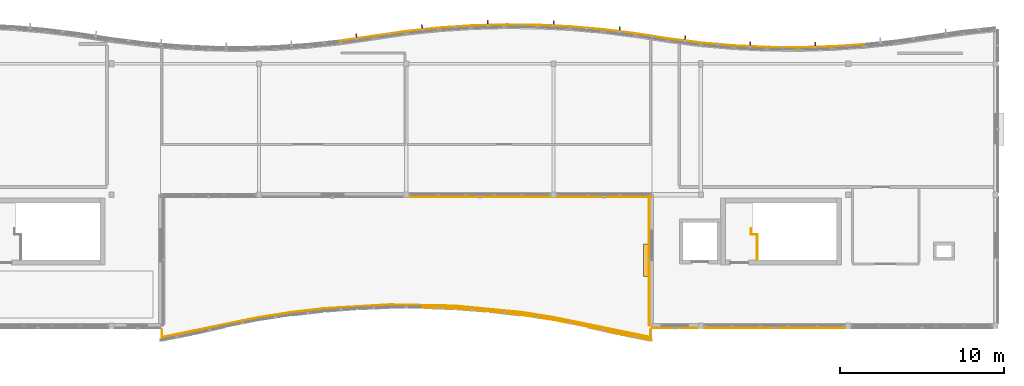
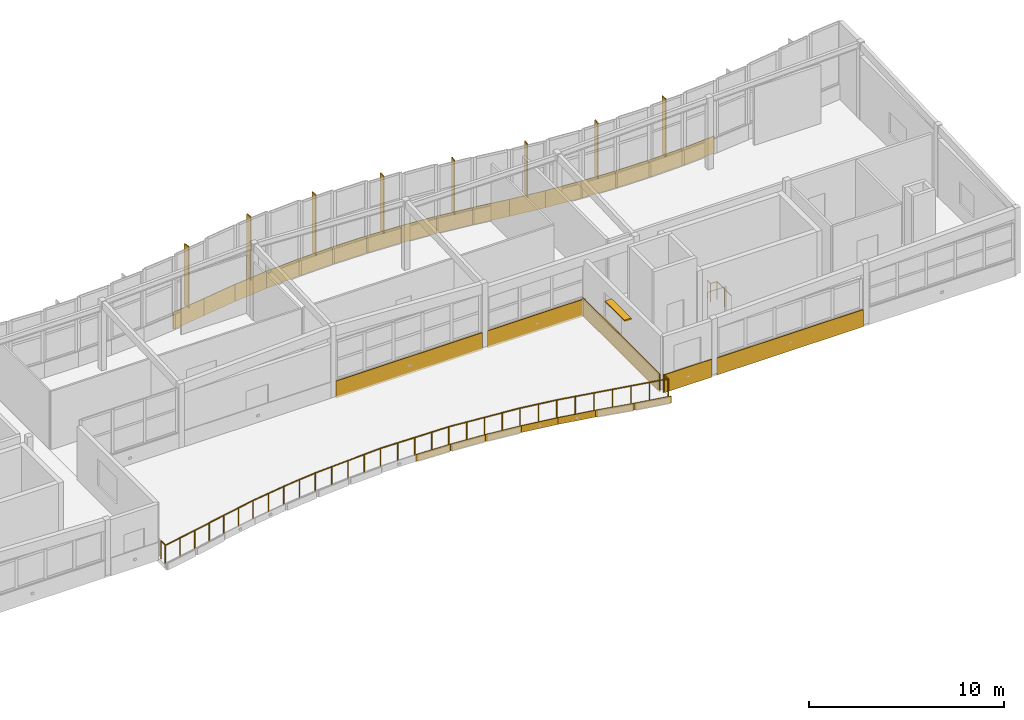
# One storey, part 19 of 20: 28 coverings, 9 shading devices, 2 railings.
"""IFC4 building model written with IfcOpenShell, lengths in metres."""

from ifc_helpers import new_model, si_unit, direction, frame, origin, origin_2d, place, context, subcontext, project, spatial, polyline, rectangle, circle, outline, extrude, material, layer, layer_set, type_object, element, save


model = new_model("IFC4")

# Units and contexts
model_context = context("Model", 3, precision=1e-05, world=origin(), true_north=direction((0.0, 1.0)))
body_context = subcontext(model_context, "Body", "Model", "MODEL_VIEW")
ifc_project = project(units=[si_unit("LENGTHUNIT", "METRE"), si_unit("AREAUNIT", "SQUARE_METRE"), si_unit("VOLUMEUNIT", "CUBIC_METRE"), si_unit("PLANEANGLEUNIT", "RADIAN"), si_unit("MASSUNIT", "GRAM", prefix="KILO")], contexts=[model_context])

# Site, building, storey
site_placement = place(None, origin())
site = spatial("IfcSite", under=ifc_project, at=site_placement, CompositionType="ELEMENT")
building_placement = place(site_placement, origin())
building = spatial("IfcBuilding", under=site, at=building_placement, Name="Tonlespit Floodbar School", CompositionType="ELEMENT")
storey_placement = place(building_placement, frame((0.0, 0.0, 20.10009765625)))
storey = spatial("IfcBuildingStorey", under=building, at=storey_placement, Name="L05", CompositionType="ELEMENT", Elevation=20.10009765625)

# Railing
ifc_material_1 = material(Name="Galvanised Steel", Category="steel")
railing_type_1 = type_object("IfcRailingType", Name="Balustrade_Ext_1150", PredefinedType="BALUSTRADE", material=ifc_material_1)
railing_1_placement = place(storey_placement, frame((94.919921875, 103.731689453125, 0.0)))
element("IfcRailing", 1, at=railing_1_placement, inside=storey, type_object=railing_type_1, Name="L05 terrace balustrade 032", PredefinedType="BALUSTRADE", context=body_context, shape_type="SweptSolid", body=[
    extrude(circle(Radius=0.02392578125, at=origin_2d()), frame((0.0, 0.0, 1.1259765625), z_axis=(0.0, -1.0, 0.0), x_axis=(1.0, 0.0, 0.0)), (0.0, 0.0, 1.0), 0.451904296875),
    extrude(circle(Radius=0.02392578125, at=origin_2d()), frame((0.0, -0.451904296875, 1.1259765625), z_axis=(-0.979394878931, 0.2019546264, 0.0), x_axis=(-0.2019546264, -0.979394878931, 0.0)), (0.0, 0.0, 1.0), 6.027587890625),
    extrude(circle(Radius=0.02392578125, at=origin_2d()), frame((-5.9033203125, 0.765380859375, 1.1259765625), z_axis=(-0.988091668652, 0.153866352204, 0.0), x_axis=(-0.153866352204, -0.988091668652, 0.0)), (0.0, 0.0, 1.0), 2.02783203125),
    extrude(circle(Radius=0.02392578125, at=origin_2d()), frame((-7.906982421875, 1.077392578125, 1.1259765625), z_axis=(-0.995351702566, 0.096306740152, 0.0), x_axis=(-0.096306740152, -0.995351702566, 0.0)), (0.0, 0.0, 1.0), 4.023193359375),
    extrude(circle(Radius=0.02392578125, at=origin_2d()), frame((-11.911376953125, 1.46484375, 1.1259765625), z_axis=(-0.999813469506, 0.019313886035, 0.0), x_axis=(-0.019313886035, -0.999813469506, 0.0)), (0.0, 0.0, 1.0), 4.007080078125),
    extrude(circle(Radius=0.02392578125, at=origin_2d()), frame((-15.917724609375, 1.542236328125, 1.1259765625), z_axis=(-0.998335296329, -0.057676998045, 0.0), x_axis=(0.057676998045, -0.998335296329, 0.0)), (0.0, 0.0, 1.0), 4.0126953125),
    extrude(circle(Radius=0.02392578125, at=origin_2d()), frame((-19.923828125, 1.310791015625, 1.1259765625), z_axis=(-0.993333496424, -0.115276037761, 0.0), x_axis=(0.115276037761, -0.993333496424, 0.0)), (0.0, 0.0, 1.0), 2.018310546875),
    extrude(circle(Radius=0.02392578125, at=origin_2d()), frame((-21.9287109375, 1.078125, 1.1259765625), z_axis=(-0.988083112984, -0.153921284543, 0.0), x_axis=(0.153921284543, -0.988083112984, 0.0)), (0.0, 0.0, 1.0), 2.027099609375),
    extrude(circle(Radius=0.02392578125, at=origin_2d()), frame((-23.931640625, 0.76611328125, 1.1259765625), z_axis=(-0.979394221427, -0.201957814989, 0.0), x_axis=(0.201957814989, -0.979394221427, 0.0)), (0.0, 0.0, 1.0), 6.0322265625),
    extrude(circle(Radius=0.02392578125, at=origin_2d()), frame((-29.839599609375, -0.4521484375, 1.1259765625), z_axis=(-0.000539956725, 0.999999854223, 0.0), x_axis=(-0.999999854223, -0.000539956725, 0.0)), (0.0, 0.0, 1.0), 0.4521484375),
    extrude(circle(Radius=0.02099609375, at=origin_2d()), origin(), (0.0, 0.0, 1.0), 1.101806640625),
    extrude(circle(Radius=0.02099609375, at=origin_2d()), frame((0.0, -0.451904296875, 0.0)), (0.0, 0.0, 1.0), 1.101806640625),
    extrude(circle(Radius=0.02099609375, at=origin_2d()), frame((-0.98388671875, -0.2490234375, 0.0)), (0.0, 0.0, 1.0), 1.101806640625),
    extrude(circle(Radius=0.02099609375, at=origin_2d()), frame((-1.9677734375, -0.046142578125, 0.0)), (0.0, 0.0, 1.0), 1.101806640625),
    extrude(circle(Radius=0.02099609375, at=origin_2d()), frame((-2.95166015625, 0.15673828125, 0.0)), (0.0, 0.0, 1.0), 1.101806640625),
    extrude(circle(Radius=0.02099609375, at=origin_2d()), frame((-3.935546875, 0.359619140625, 0.0)), (0.0, 0.0, 1.0), 1.101806640625),
    extrude(circle(Radius=0.02099609375, at=origin_2d()), frame((-4.91943359375, 0.5625, 0.0)), (0.0, 0.0, 1.0), 1.101806640625),
    extrude(circle(Radius=0.02099609375, at=origin_2d()), frame((-5.9033203125, 0.765380859375, 0.0)), (0.0, 0.0, 1.0), 1.101806640625),
    extrude(circle(Radius=0.02099609375, at=origin_2d()), frame((-6.9052734375, 0.92138671875, 0.0)), (0.0, 0.0, 1.0), 1.101806640625),
    extrude(circle(Radius=0.02099609375, at=origin_2d()), frame((-7.906982421875, 1.077392578125, 0.0)), (0.0, 0.0, 1.0), 1.101806640625),
    extrude(circle(Radius=0.02099609375, at=origin_2d()), frame((-8.908203125, 1.17431640625, 0.0)), (0.0, 0.0, 1.0), 1.101806640625),
    extrude(circle(Radius=0.02099609375, at=origin_2d()), frame((-9.9091796875, 1.27099609375, 0.0)), (0.0, 0.0, 1.0), 1.101806640625),
    extrude(circle(Radius=0.02099609375, at=origin_2d()), frame((-10.91015625, 1.367919921875, 0.0)), (0.0, 0.0, 1.0), 1.101806640625),
    extrude(circle(Radius=0.02099609375, at=origin_2d()), frame((-11.911376953125, 1.46484375, 0.0)), (0.0, 0.0, 1.0), 1.101806640625),
    extrude(circle(Radius=0.02099609375, at=origin_2d()), frame((-12.9130859375, 1.484130859375, 0.0)), (0.0, 0.0, 1.0), 1.101806640625),
    extrude(circle(Radius=0.02099609375, at=origin_2d()), frame((-13.91455078125, 1.50341796875, 0.0)), (0.0, 0.0, 1.0), 1.101806640625),
    extrude(circle(Radius=0.02099609375, at=origin_2d()), frame((-14.916015625, 1.52294921875, 0.0)), (0.0, 0.0, 1.0), 1.101806640625),
    extrude(circle(Radius=0.02099609375, at=origin_2d()), frame((-15.917724609375, 1.542236328125, 0.0)), (0.0, 0.0, 1.0), 1.101806640625),
    extrude(circle(Radius=0.02099609375, at=origin_2d()), frame((-16.919189453125, 1.484375, 0.0)), (0.0, 0.0, 1.0), 1.101806640625),
    extrude(circle(Radius=0.02099609375, at=origin_2d()), frame((-17.9208984375, 1.426513671875, 0.0)), (0.0, 0.0, 1.0), 1.101806640625),
    extrude(circle(Radius=0.02099609375, at=origin_2d()), frame((-18.92236328125, 1.36865234375, 0.0)), (0.0, 0.0, 1.0), 1.101806640625),
    extrude(circle(Radius=0.02099609375, at=origin_2d()), frame((-19.923828125, 1.310791015625, 0.0)), (0.0, 0.0, 1.0), 1.101806640625),
    extrude(circle(Radius=0.02099609375, at=origin_2d()), frame((-20.92626953125, 1.1943359375, 0.0)), (0.0, 0.0, 1.0), 1.101806640625),
    extrude(circle(Radius=0.02099609375, at=origin_2d()), frame((-21.9287109375, 1.078125, 0.0)), (0.0, 0.0, 1.0), 1.101806640625),
    extrude(circle(Radius=0.02099609375, at=origin_2d()), frame((-22.93017578125, 0.922119140625, 0.0)), (0.0, 0.0, 1.0), 1.101806640625),
    extrude(circle(Radius=0.02099609375, at=origin_2d()), frame((-23.931640625, 0.76611328125, 0.0)), (0.0, 0.0, 1.0), 1.101806640625),
    extrude(circle(Radius=0.02099609375, at=origin_2d()), frame((-24.916259765625, 0.56298828125, 0.0)), (0.0, 0.0, 1.0), 1.101806640625),
    extrude(circle(Radius=0.02099609375, at=origin_2d()), frame((-25.90087890625, 0.360107421875, 0.0)), (0.0, 0.0, 1.0), 1.101806640625),
    extrude(circle(Radius=0.02099609375, at=origin_2d()), frame((-26.8857421875, 0.156982421875, 0.0)), (0.0, 0.0, 1.0), 1.101806640625),
    extrude(circle(Radius=0.02099609375, at=origin_2d()), frame((-27.870361328125, -0.046142578125, 0.0)), (0.0, 0.0, 1.0), 1.101806640625),
    extrude(circle(Radius=0.02099609375, at=origin_2d()), frame((-28.85498046875, -0.2490234375, 0.0)), (0.0, 0.0, 1.0), 1.101806640625),
    extrude(circle(Radius=0.02099609375, at=origin_2d()), frame((-29.839599609375, -0.4521484375, 0.0)), (0.0, 0.0, 1.0), 1.101806640625),
    extrude(circle(Radius=0.02099609375, at=origin_2d()), frame((-29.83984375, 0.0, 0.0)), (0.0, 0.0, 1.0), 1.101806640625),
])

# Coverings
ifc_material_2 = material(Name="White Architectural Aluminium", Category="aluminium")
ifc_layer_1 = layer(ifc_material_2, 0.050048828125)
ifc_layer_set_1 = layer_set([ifc_layer_1], Name="White Architectural Aluminium")
covering_type = type_object("IfcCoveringType", Name="Cladding_WhiteBand_50", PredefinedType="CLADDING", material=ifc_layer_set_1)
covering_1_placement = place(storey_placement, frame((0.0, 0.0, -0.1201171875)))
element("IfcCovering", 2, at=covering_1_placement, inside=storey, type_object=covering_type, Name="L05 curved white spandrel cladding 0412", PredefinedType="CLADDING", context=body_context, shape_type="SweptSolid", body=[
    extrude(outline(polyline([(75.985595703125, 121.357421875), (77.985595703125, 121.64892578125), (77.978515625, 121.698486328125), (75.978515625, 121.406982421875), (75.985595703125, 121.357421875)])), origin(), (0.0, 0.0, 1.0), 1.070068359375),
])
covering_2_placement = place(storey_placement, frame((0.0, 0.0, -0.1201171875)))
element("IfcCovering", 3, at=covering_2_placement, inside=storey, type_object=covering_type, Name="L05 curved white spandrel cladding 0414", PredefinedType="CLADDING", context=body_context, shape_type="SweptSolid", body=[
    extrude(outline(polyline([(77.985595703125, 121.64892578125), (79.985595703125, 121.940673828125), (79.978515625, 121.989990234375), (77.978515625, 121.698486328125), (77.985595703125, 121.64892578125)])), origin(), (0.0, 0.0, 1.0), 1.070068359375),
])
covering_3_placement = place(storey_placement, frame((0.0, 0.0, -0.1201171875)))
element("IfcCovering", 4, at=covering_3_placement, inside=storey, type_object=covering_type, Name="L05 curved white spandrel cladding 0416", PredefinedType="CLADDING", context=body_context, shape_type="SweptSolid", body=[
    extrude(outline(polyline([(79.989501953125, 121.94091796875), (81.989501953125, 122.15380859375), (81.984130859375, 122.203369140625), (79.984130859375, 121.99072265625), (79.989501953125, 121.94091796875)])), origin(), (0.0, 0.0, 1.0), 1.070068359375),
])
covering_4_placement = place(storey_placement, frame((0.0, 0.0, -0.1201171875)))
element("IfcCovering", 5, at=covering_4_placement, inside=storey, type_object=covering_type, Name="L05 curved white spandrel cladding 0418", PredefinedType="CLADDING", context=body_context, shape_type="SweptSolid", body=[
    extrude(outline(polyline([(81.993408203125, 122.154052734375), (83.993408203125, 122.2890625), (83.989990234375, 122.339111328125), (81.989990234375, 122.2041015625), (81.993408203125, 122.154052734375)])), origin(), (0.0, 0.0, 1.0), 1.070068359375),
])
covering_5_placement = place(storey_placement, frame((0.0, 0.0, -0.1201171875)))
element("IfcCovering", 6, at=covering_5_placement, inside=storey, type_object=covering_type, Name="L05 curved white spandrel cladding 0420", PredefinedType="CLADDING", context=body_context, shape_type="SweptSolid", body=[
    extrude(outline(polyline([(83.9970703125, 122.289306640625), (85.9970703125, 122.346923828125), (85.99560546875, 122.39697265625), (83.99560546875, 122.33935546875), (83.9970703125, 122.289306640625)])), origin(), (0.0, 0.0, 1.0), 1.070068359375),
])
covering_6_placement = place(storey_placement, frame((0.0, 0.0, -0.1201171875)))
element("IfcCovering", 7, at=covering_6_placement, inside=storey, type_object=covering_type, Name="L05 curved white spandrel cladding 0422", PredefinedType="CLADDING", context=body_context, shape_type="SweptSolid", body=[
    extrude(outline(polyline([(86.0009765625, 122.346923828125), (88.0009765625, 122.327880859375), (88.00146484375, 122.377685546875), (86.00146484375, 122.39697265625), (86.0009765625, 122.346923828125)])), origin(), (0.0, 0.0, 1.0), 1.070068359375),
])
covering_7_placement = place(storey_placement, frame((0.0, 0.0, -0.1201171875)))
element("IfcCovering", 8, at=covering_7_placement, inside=storey, type_object=covering_type, Name="L05 curved white spandrel cladding 0424", PredefinedType="CLADDING", context=body_context, shape_type="SweptSolid", body=[
    extrude(outline(polyline([(88.0048828125, 122.32763671875), (90.0048828125, 122.2314453125), (90.007080078125, 122.28125), (88.007080078125, 122.377685546875), (88.0048828125, 122.32763671875)])), origin(), (0.0, 0.0, 1.0), 1.070068359375),
])
covering_8_placement = place(storey_placement, frame((0.0, 0.0, -0.1201171875)))
element("IfcCovering", 9, at=covering_8_placement, inside=storey, type_object=covering_type, Name="L05 curved white spandrel cladding 0426", PredefinedType="CLADDING", context=body_context, shape_type="SweptSolid", body=[
    extrude(outline(polyline([(90.0087890625, 122.231201171875), (92.0087890625, 122.057373046875), (92.012939453125, 122.107177734375), (90.012939453125, 122.281005859375), (90.0087890625, 122.231201171875)])), origin(), (0.0, 0.0, 1.0), 1.070068359375),
])
covering_9_placement = place(storey_placement, frame((0.0, 0.0, -0.1201171875)))
element("IfcCovering", 10, at=covering_9_placement, inside=storey, type_object=covering_type, Name="L05 curved white spandrel cladding 0428", PredefinedType="CLADDING", context=body_context, shape_type="SweptSolid", body=[
    extrude(outline(polyline([(92.012451171875, 122.056884765625), (94.012451171875, 121.804931640625), (94.018798828125, 121.8544921875), (92.018798828125, 122.1064453125), (92.012451171875, 122.056884765625)])), origin(), (0.0, 0.0, 1.0), 1.070068359375),
])
covering_10_placement = place(storey_placement, frame((0.0, 0.0, -0.1201171875)))
element("IfcCovering", 11, at=covering_10_placement, inside=storey, type_object=covering_type, Name="L05 curved white spandrel cladding 0430", PredefinedType="CLADDING", context=body_context, shape_type="SweptSolid", body=[
    extrude(outline(polyline([(94.015380859375, 121.804443359375), (96.015380859375, 121.4931640625), (96.023193359375, 121.54248046875), (94.023193359375, 121.85400390625), (94.015380859375, 121.804443359375)])), origin(), (0.0, 0.0, 1.0), 1.070068359375),
])
covering_11_placement = place(storey_placement, frame((0.0, 0.0, -0.1201171875)))
element("IfcCovering", 12, at=covering_11_placement, inside=storey, type_object=covering_type, Name="L05 curved white spandrel cladding 0432", PredefinedType="CLADDING", context=body_context, shape_type="SweptSolid", body=[
    extrude(outline(polyline([(96.012451171875, 121.493408203125), (98.012451171875, 121.241455078125), (98.018798828125, 121.291015625), (96.018798828125, 121.543212890625), (96.012451171875, 121.493408203125)])), origin(), (0.0, 0.0, 1.0), 1.070068359375),
])
covering_12_placement = place(storey_placement, frame((0.0, 0.0, -0.1201171875)))
element("IfcCovering", 13, at=covering_12_placement, inside=storey, type_object=covering_type, Name="L05 curved white spandrel cladding 0434", PredefinedType="CLADDING", context=body_context, shape_type="SweptSolid", body=[
    extrude(outline(polyline([(98.0087890625, 121.241943359375), (100.0087890625, 121.068115234375), (100.012939453125, 121.117919921875), (98.012939453125, 121.291748046875), (98.0087890625, 121.241943359375)])), origin(), (0.0, 0.0, 1.0), 1.070068359375),
])
covering_13_placement = place(storey_placement, frame((0.0, 0.0, -0.1201171875)))
element("IfcCovering", 14, at=covering_13_placement, inside=storey, type_object=covering_type, Name="L05 curved white spandrel cladding 0436", PredefinedType="CLADDING", context=body_context, shape_type="SweptSolid", body=[
    extrude(outline(polyline([(100.0048828125, 121.068359375), (102.0048828125, 120.97216796875), (102.007080078125, 121.02197265625), (100.007080078125, 121.118408203125), (100.0048828125, 121.068359375)])), origin(), (0.0, 0.0, 1.0), 1.070068359375),
])
covering_14_placement = place(storey_placement, frame((0.0, 0.0, -0.1201171875)))
element("IfcCovering", 15, at=covering_14_placement, inside=storey, type_object=covering_type, Name="L05 curved white spandrel cladding 0438", PredefinedType="CLADDING", context=body_context, shape_type="SweptSolid", body=[
    extrude(outline(polyline([(102.0009765625, 120.97216796875), (104.0009765625, 120.952880859375), (104.00146484375, 121.0029296875), (102.00146484375, 121.022216796875), (102.0009765625, 120.97216796875)])), origin(), (0.0, 0.0, 1.0), 1.070068359375),
])
covering_15_placement = place(storey_placement, frame((0.0, 0.0, -0.1201171875)))
element("IfcCovering", 16, at=covering_15_placement, inside=storey, type_object=covering_type, Name="L05 curved white spandrel cladding 0440", PredefinedType="CLADDING", context=body_context, shape_type="SweptSolid", body=[
    extrude(outline(polyline([(103.9970703125, 120.952880859375), (105.9970703125, 121.0107421875), (105.99560546875, 121.060791015625), (103.99560546875, 121.0029296875), (103.9970703125, 120.952880859375)])), origin(), (0.0, 0.0, 1.0), 1.070068359375),
])
covering_16_placement = place(storey_placement, frame((0.0, 0.0, -0.1201171875)))
element("IfcCovering", 17, at=covering_16_placement, inside=storey, type_object=covering_type, Name="L05 curved white spandrel cladding 0442", PredefinedType="CLADDING", context=body_context, shape_type="SweptSolid", body=[
    extrude(outline(polyline([(105.993408203125, 121.010498046875), (107.993408203125, 121.1455078125), (107.989990234375, 121.1953125), (105.989990234375, 121.060302734375), (105.993408203125, 121.010498046875)])), origin(), (0.0, 0.0, 1.0), 1.070068359375),
])
covering_17_placement = place(storey_placement, frame((0.0, 0.0, -0.1201171875)))
element("IfcCovering", 18, at=covering_17_placement, inside=storey, type_object=covering_type, Name="L05 curved white spandrel cladding 0453", PredefinedType="CLADDING", context=body_context, shape_type="SweptSolid", body=[
    extrude(outline(polyline([(106.840087890625, 103.89990234375), (98.159912109375, 103.89990234375), (98.159912109375, 103.85009765625), (106.840087890625, 103.85009765625), (106.840087890625, 103.89990234375)])), origin(), (0.0, 0.0, 1.0), 1.070068359375),
])
covering_18_placement = place(storey_placement, frame((0.0, 0.0, -0.1201171875)))
element("IfcCovering", 19, at=covering_18_placement, inside=storey, type_object=covering_type, Name="L05 curved white spandrel cladding 0454", PredefinedType="CLADDING", context=body_context, shape_type="SweptSolid", body=[
    extrude(outline(polyline([(97.840087890625, 103.8798828125), (95.0, 103.8798828125), (95.0, 103.830078125), (97.840087890625, 103.830078125), (97.840087890625, 103.8798828125)])), origin(), (0.0, 0.0, 1.0), 1.1201171875),
])
covering_19_placement = place(storey_placement, frame((0.0, 0.0, -0.1201171875)))
element("IfcCovering", 20, at=covering_19_placement, inside=storey, type_object=covering_type, Name="L05 curved white spandrel cladding 0455", PredefinedType="CLADDING", context=body_context, shape_type="SweptSolid", body=[
    extrude(outline(polyline([(94.8798828125, 104.0), (94.8798828125, 112.0), (94.830078125, 112.0), (94.830078125, 104.0), (94.8798828125, 104.0)])), origin(), (0.0, 0.0, 1.0), 1.1201171875),
])
covering_20_placement = place(storey_placement, frame((0.0, 0.0, -0.1201171875)))
element("IfcCovering", 21, at=covering_20_placement, inside=storey, type_object=covering_type, Name="L05 curved white spandrel cladding 0456", PredefinedType="CLADDING", context=body_context, shape_type="SweptSolid", body=[
    extrude(outline(polyline([(95.0, 111.89990234375), (89.159912109375, 111.89990234375), (89.159912109375, 111.85009765625), (95.0, 111.85009765625), (95.0, 111.89990234375)])), origin(), (0.0, 0.0, 1.0), 1.070068359375),
])
covering_21_placement = place(storey_placement, frame((0.0, 0.0, -0.1201171875)))
element("IfcCovering", 22, at=covering_21_placement, inside=storey, type_object=covering_type, Name="L05 curved white spandrel cladding 0457", PredefinedType="CLADDING", context=body_context, shape_type="SweptSolid", body=[
    extrude(outline(polyline([(88.840087890625, 111.89990234375), (80.159912109375, 111.89990234375), (80.159912109375, 111.85009765625), (88.840087890625, 111.85009765625), (88.840087890625, 111.89990234375)])), origin(), (0.0, 0.0, 1.0), 1.070068359375),
])
covering_22_placement = place(storey_placement, frame((0.0, 0.0, -0.300048828125)))
element("IfcCovering", 23, at=covering_22_placement, inside=storey, type_object=covering_type, Name="L05 curved white spandrel cladding 0478", PredefinedType="CLADDING", context=body_context, shape_type="SweptSolid", body=[
    extrude(outline(polyline([(81.0, 105.15380859375), (83.0, 105.076904296875), (83.0, 105.02685546875), (81.0, 105.10400390625), (81.0, 105.15380859375)])), origin(), (0.0, 0.0, 1.0), 0.419921875),
])
covering_23_placement = place(storey_placement, frame((0.0, 0.0, -0.300048828125)))
element("IfcCovering", 24, at=covering_23_placement, inside=storey, type_object=covering_type, Name="L05 curved white spandrel cladding 0479", PredefinedType="CLADDING", context=body_context, shape_type="SweptSolid", body=[
    extrude(outline(polyline([(83.0, 105.076904296875), (85.0, 104.922607421875), (85.0, 104.87255859375), (83.0, 105.02685546875), (83.0, 105.076904296875)])), origin(), (0.0, 0.0, 1.0), 0.419921875),
])
covering_24_placement = place(storey_placement, frame((0.0, 0.0, -0.300048828125)))
element("IfcCovering", 25, at=covering_24_placement, inside=storey, type_object=covering_type, Name="L05 curved white spandrel cladding 0480", PredefinedType="CLADDING", context=body_context, shape_type="SweptSolid", body=[
    extrude(outline(polyline([(85.0, 104.922607421875), (87.0, 104.690185546875), (87.0, 104.64013671875), (85.0, 104.87255859375), (85.0, 104.922607421875)])), origin(), (0.0, 0.0, 1.0), 0.419921875),
])
covering_25_placement = place(storey_placement, frame((0.0, 0.0, -0.300048828125)))
element("IfcCovering", 26, at=covering_25_placement, inside=storey, type_object=covering_type, Name="L05 curved white spandrel cladding 0481", PredefinedType="CLADDING", context=body_context, shape_type="SweptSolid", body=[
    extrude(outline(polyline([(87.0, 104.690185546875), (89.0, 104.37890625), (89.0, 104.328857421875), (87.0, 104.64013671875), (87.0, 104.690185546875)])), origin(), (0.0, 0.0, 1.0), 0.419921875),
])
covering_26_placement = place(storey_placement, frame((0.0, 0.0, -0.300048828125)))
element("IfcCovering", 27, at=covering_26_placement, inside=storey, type_object=covering_type, Name="L05 curved white spandrel cladding 0482", PredefinedType="CLADDING", context=body_context, shape_type="SweptSolid", body=[
    extrude(outline(polyline([(89.0, 104.37890625), (91.0, 103.98681640625), (91.0, 103.936767578125), (89.0, 104.328857421875), (89.0, 104.37890625)])), origin(), (0.0, 0.0, 1.0), 0.419921875),
])
covering_27_placement = place(storey_placement, frame((0.0, 0.0, -0.300048828125)))
element("IfcCovering", 28, at=covering_27_placement, inside=storey, type_object=covering_type, Name="L05 curved white spandrel cladding 0483", PredefinedType="CLADDING", context=body_context, shape_type="SweptSolid", body=[
    extrude(outline(polyline([(91.0, 103.98681640625), (93.0, 103.533203125), (93.0, 103.483154296875), (91.0, 103.936767578125), (91.0, 103.98681640625)])), origin(), (0.0, 0.0, 1.0), 0.419921875),
])
covering_28_placement = place(storey_placement, frame((0.0, 0.0, -0.300048828125)))
element("IfcCovering", 29, at=covering_28_placement, inside=storey, type_object=covering_type, Name="L05 curved white spandrel cladding 0484", PredefinedType="CLADDING", context=body_context, shape_type="SweptSolid", body=[
    extrude(outline(polyline([(93.0, 103.533203125), (95.0, 103.14111328125), (95.0, 103.09130859375), (93.0, 103.483154296875), (93.0, 103.533203125)])), origin(), (0.0, 0.0, 1.0), 0.419921875),
])

# Railing
railing_type_2 = type_object("IfcRailingType", Name="Guard_Int_1150", PredefinedType="BALUSTRADE", material=ifc_material_1)
railing_2_placement = place(storey_placement, frame((101.449951171875, 108.050048828125, 0.0)))
element("IfcRailing", 30, at=railing_2_placement, inside=storey, type_object=railing_type_2, Name="L05 ST-C2 top well guard 1", PredefinedType="BALUSTRADE", context=body_context, shape_type="SweptSolid", body=[
    extrude(circle(Radius=0.02392578125, at=origin_2d()), frame((0.0, 0.0, 1.1259765625), z_axis=(0.0, 1.0, 0.0), x_axis=(-1.0, 0.0, 0.0)), (0.0, 0.0, 1.0), 1.52001953125),
    extrude(circle(Radius=0.02392578125, at=origin_2d()), frame((0.0, 1.52001953125, 1.1259765625), z_axis=(-1.0, 0.0, 0.0), x_axis=(0.0, -1.0, 0.0)), (0.0, 0.0, 1.0), 0.3798828125),
    extrude(circle(Radius=0.02392578125, at=origin_2d()), frame((-0.3798828125, 1.52001953125, 1.1259765625), z_axis=(0.0, 1.0, 0.0), x_axis=(-1.0, 0.0, 0.0)), (0.0, 0.0, 1.0), 0.349853515625),
    extrude(circle(Radius=0.02099609375, at=origin_2d()), origin(), (0.0, 0.0, 1.0), 1.101806640625),
    extrude(circle(Radius=0.02099609375, at=origin_2d()), frame((0.0, 0.760009765625, 0.0)), (0.0, 0.0, 1.0), 1.101806640625),
    extrude(circle(Radius=0.02099609375, at=origin_2d()), frame((0.0, 1.52001953125, 0.0)), (0.0, 0.0, 1.0), 1.101806640625),
    extrude(circle(Radius=0.02099609375, at=origin_2d()), frame((-0.3798828125, 1.52001953125, 0.0)), (0.0, 0.0, 1.0), 1.101806640625),
    extrude(circle(Radius=0.02099609375, at=origin_2d()), frame((-0.3798828125, 1.869873046875, 0.0)), (0.0, 0.0, 1.0), 1.101806640625),
])

# Shading devices
ifc_material_3 = material(Name="Anodised Aluminium", Category="aluminium")
ifc_layer_2 = layer(ifc_material_3, 0.080078125)
ifc_layer_set_2 = layer_set([ifc_layer_2], Name="Anodised Aluminium")
shading_device_type_1 = type_object("IfcShadingDeviceType", Name="Shading_MonsoonJalousie_400", PredefinedType="JALOUSIE", material=ifc_layer_set_2)
shading_device_1_placement = place(storey_placement, frame((94.681884765625, 108.0, 2.619873046875), z_axis=(0.0, 0.0, 1.0), x_axis=(0.0, 1.0, 0.0)))
element("IfcShadingDevice", 31, at=shading_device_1_placement, inside=storey, type_object=shading_device_type_1, Name="L05 monsoon jalousie 111", PredefinedType="JALOUSIE", context=body_context, shape_type="SweptSolid", body=[
    extrude(rectangle(XDim=2.0, YDim=0.39990234375, at=origin_2d()), origin(), (0.0, 0.0, 1.0), 0.080078125),
])
ifc_material_4 = material(Name="Terracotta Anodised Aluminium", Category="masonry")
ifc_layer_3 = layer(ifc_material_4, 0.06005859375)
ifc_layer_set_3 = layer_set([ifc_layer_3], Name="Terracotta Anodised Aluminium")
shading_device_type_2 = type_object("IfcShadingDeviceType", Name="Shading_SolarFin_350", PredefinedType="USERDEFINED", material=ifc_layer_set_3)
shading_device_2_placement = place(storey_placement, frame((76.96240234375, 121.66162109375, 0.7998046875), z_axis=(0.0, 0.0, 1.0), x_axis=(0.989537627347, 0.144275029245, 0.0)))
element("IfcShadingDevice", 32, at=shading_device_2_placement, inside=storey, type_object=shading_device_type_2, Name="L05 vertical solar fin 101", ObjectType="SOLAR FIN", PredefinedType="USERDEFINED", context=body_context, shape_type="SweptSolid", body=[
    extrude(rectangle(XDim=0.06005859375, YDim=0.35009765625, at=origin_2d()), origin(), (0.0, 0.0, 1.0), 3.859130859375),
])
shading_device_3_placement = place(storey_placement, frame((80.972412109375, 122.20654296875, 0.7998046875), z_axis=(0.0, 0.0, 1.0), x_axis=(0.99439234017, 0.105753835922, 0.0)))
element("IfcShadingDevice", 33, at=shading_device_3_placement, inside=storey, type_object=shading_device_type_2, Name="L05 vertical solar fin 102", ObjectType="SOLAR FIN", PredefinedType="USERDEFINED", context=body_context, shape_type="SweptSolid", body=[
    extrude(rectangle(XDim=0.06005859375, YDim=0.35009765625, at=origin_2d()), origin(), (0.0, 0.0, 1.0), 3.9921875),
])
shading_device_4_placement = place(storey_placement, frame((84.992431640625, 122.47802734375, 0.7998046875), z_axis=(0.0, 0.0, 1.0), x_axis=(0.999584110869, 0.02883756748, 0.0)))
element("IfcShadingDevice", 34, at=shading_device_4_placement, inside=storey, type_object=shading_device_type_2, Name="L05 vertical solar fin 103", ObjectType="SOLAR FIN", PredefinedType="USERDEFINED", context=body_context, shape_type="SweptSolid", body=[
    extrude(rectangle(XDim=0.06005859375, YDim=0.35009765625, at=origin_2d()), origin(), (0.0, 0.0, 1.0), 3.802978515625),
])
shading_device_5_placement = place(storey_placement, frame((89.012451171875, 122.439208984375, 0.7998046875), z_axis=(0.0, 0.0, 1.0), x_axis=(0.998842769234, -0.048094930587, 0.0)))
element("IfcShadingDevice", 35, at=shading_device_5_placement, inside=storey, type_object=shading_device_type_2, Name="L05 vertical solar fin 104", ObjectType="SOLAR FIN", PredefinedType="USERDEFINED", context=body_context, shape_type="SweptSolid", body=[
    extrude(rectangle(XDim=0.06005859375, YDim=0.35009765625, at=origin_2d()), origin(), (0.0, 0.0, 1.0), 3.600830078125),
])
shading_device_6_placement = place(storey_placement, frame((93.032470703125, 122.089599609375, 0.7998046875), z_axis=(0.0, 0.0, 1.0), x_axis=(0.99215533612, -0.125011155539, 0.0)))
element("IfcShadingDevice", 36, at=shading_device_6_placement, inside=storey, type_object=shading_device_type_2, Name="L05 vertical solar fin 105", ObjectType="SOLAR FIN", PredefinedType="USERDEFINED", context=body_context, shape_type="SweptSolid", body=[
    extrude(rectangle(XDim=0.06005859375, YDim=0.35009765625, at=origin_2d()), origin(), (0.0, 0.0, 1.0), 3.385009765625),
])
shading_device_7_placement = place(storey_placement, frame((97.032470703125, 121.5263671875, 0.800048828125), z_axis=(0.0, 0.0, 1.0), x_axis=(0.99215533612, -0.125011155539, 0.0)))
element("IfcShadingDevice", 37, at=shading_device_7_placement, inside=storey, type_object=shading_device_type_2, Name="L05 vertical solar fin 106", ObjectType="SOLAR FIN", PredefinedType="USERDEFINED", context=body_context, shape_type="SweptSolid", body=[
    extrude(rectangle(XDim=0.06005859375, YDim=0.35009765625, at=origin_2d()), origin(), (0.0, 0.0, 1.0), 3.35888671875),
])
shading_device_8_placement = place(storey_placement, frame((101.012451171875, 121.179931640625, 0.800048828125), z_axis=(0.0, 0.0, 1.0), x_axis=(0.998842769234, -0.048094930587, 0.0)))
element("IfcShadingDevice", 38, at=shading_device_8_placement, inside=storey, type_object=shading_device_type_2, Name="L05 vertical solar fin 107", ObjectType="SOLAR FIN", PredefinedType="USERDEFINED", context=body_context, shape_type="SweptSolid", body=[
    extrude(rectangle(XDim=0.06005859375, YDim=0.35009765625, at=origin_2d()), origin(), (0.0, 0.0, 1.0), 3.4873046875),
])
shading_device_9_placement = place(storey_placement, frame((104.992431640625, 121.1416015625, 0.7998046875), z_axis=(0.0, 0.0, 1.0), x_axis=(0.999584110869, 0.02883756748, 0.0)))
element("IfcShadingDevice", 39, at=shading_device_9_placement, inside=storey, type_object=shading_device_type_2, Name="L05 vertical solar fin 108", ObjectType="SOLAR FIN", PredefinedType="USERDEFINED", context=body_context, shape_type="SweptSolid", body=[
    extrude(rectangle(XDim=0.06005859375, YDim=0.35009765625, at=origin_2d()), origin(), (0.0, 0.0, 1.0), 3.629150390625),
])

save(model, "model.ifc")
